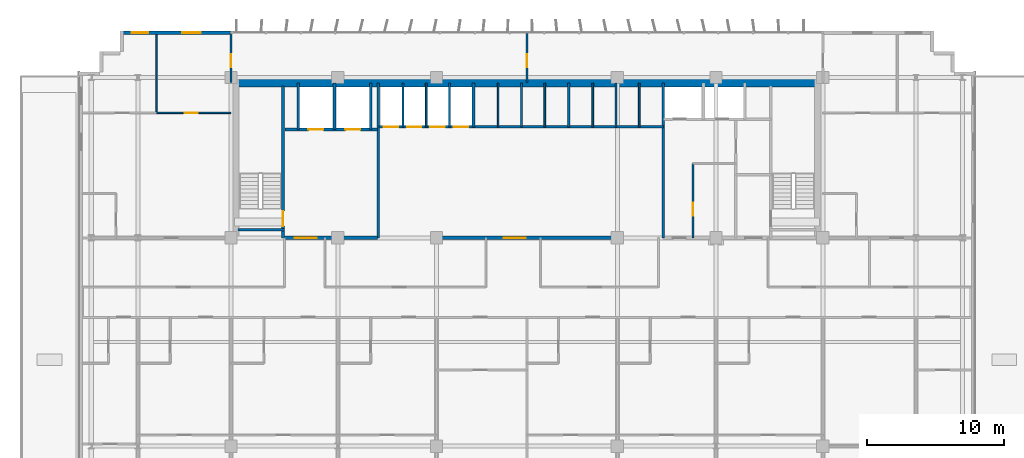
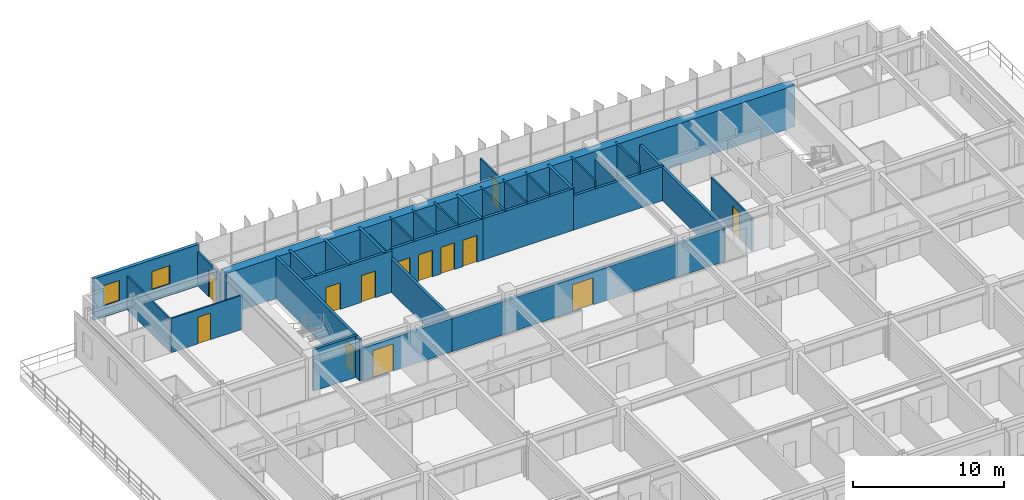
# One storey, part 20 of 26: 31 walls, 13 doors, 2 windows, 15 openings.
"""IFC4 building model written with IfcOpenShell, lengths in metres."""

from ifc_helpers import new_model, si_unit, direction, frame, frame_2d, origin, place, context, subcontext, project, spatial, rectangle, extrude, source, transform, mapped, material, layer, layer_set, type_object, element, fill, save


model = new_model("IFC4")

# Units and contexts
model_context = context("Model", 3, precision=1e-05, world=origin(), true_north=direction((0.0, 1.0)))
body_context = subcontext(model_context, "Body", "Model", "MODEL_VIEW")
ifc_project = project(units=[si_unit("LENGTHUNIT", "METRE"), si_unit("AREAUNIT", "SQUARE_METRE"), si_unit("VOLUMEUNIT", "CUBIC_METRE"), si_unit("PLANEANGLEUNIT", "RADIAN"), si_unit("MASSUNIT", "GRAM", prefix="KILO")], contexts=[model_context])

# Site, building, storey
site_placement = place(None, origin())
site = spatial("IfcSite", under=ifc_project, at=site_placement, CompositionType="ELEMENT")
building_placement = place(site_placement, origin())
building = spatial("IfcBuilding", under=site, at=building_placement, Name="Trelvane Seafront Commons", CompositionType="ELEMENT")
storey_placement = place(building_placement, frame((0.0, 0.0, 23.5)))
storey = spatial("IfcBuildingStorey", under=building, at=storey_placement, Name="L05", CompositionType="ELEMENT", Elevation=23.5)

# Wall, openings, windows
ifc_material_1 = material(Name="Precast concrete C40/50", Category="concrete")
ifc_layer_1 = layer(ifc_material_1, 0.260009765625, Name="ARCH-WALL-EXT260")
ifc_layer_set_1 = layer_set([ifc_layer_1], Name="Precast concrete C40/50")
wall_type_1 = type_object("IfcWallType", Name="ARCH-WALL-EXT260", PredefinedType="SOLIDWALL", material=ifc_layer_set_1)
wall_1_placement = place(storey_placement, frame((7.60009765625, 48.3701171875, 0.0), z_axis=(0.0, 0.0, 1.0), x_axis=(1.0, 0.0, 0.0)))
wall_1 = element("IfcWall", 1, at=wall_1_placement, inside=storey, type_object=wall_type_1, Name="EW-L05-NW-0045", PredefinedType="SOLIDWALL", context=body_context, shape_type="SweptSolid", body=[
    extrude(rectangle(XDim=8.0, YDim=0.260009765625, at=frame_2d((4.0, 0.0))), origin(), (0.0, 0.0, 1.0), 3.340087890625),
])
opening_1_placement = place(wall_1_placement, frame((0.76806640625, 0.0, 0.89990234375)))
opening_1 = element("IfcOpeningElement", 2, at=opening_1_placement, cuts=wall_1, Name="Opening W05", PredefinedType="OPENING", context=body_context, shape_type="SweptSolid", body=[
    extrude(rectangle(XDim=1.199951171875, YDim=1.64990234375, at=frame_2d((0.60009765625, 0.824951171875))), frame((0.0, 0.139892578125, 0.0), z_axis=(0.0, -1.0, 0.0), x_axis=(1.0, 0.0, 0.0)), (0.0, 0.0, 1.0), 0.280029296875),
])
opening_2_placement = place(wall_1_placement, frame((4.44091796875, 0.0, 0.89990234375)))
opening_2 = element("IfcOpeningElement", 3, at=opening_2_placement, cuts=wall_1, Name="Opening W09", PredefinedType="OPENING", context=body_context, shape_type="SweptSolid", body=[
    extrude(rectangle(XDim=1.35009765625, YDim=1.5, at=frame_2d((0.675048828125, 0.75))), frame((0.0, 0.139892578125, 0.0), z_axis=(0.0, -1.0, 0.0), x_axis=(1.0, 0.0, 0.0)), (0.0, 0.0, 1.0), 0.280029296875),
])
ifc_material_2 = material(Name="Low-E coastal double glazing", Category="glass")
window_type_1 = type_object("IfcWindowType", Name="ARCH-WIN-W09", PartitioningType="SINGLE_PANEL", PredefinedType="WINDOW", material=ifc_material_2)
shared_shape_1 = source(origin(), body_context, "Body", "SweptSolid", [
    extrude(rectangle(XDim=1.35009765625, YDim=1.5, at=frame_2d((0.675048828125, 0.75))), frame((0.0, 0.030029296875, 0.0), z_axis=(0.0, -1.0, 0.0), x_axis=(1.0, 0.0, 0.0)), (0.0, 0.0, 1.0), 0.06005859375),
])
window_1_placement = place(opening_2_placement, origin())
window_1 = element("IfcWindow", 4, at=window_1_placement, inside=storey, type_object=window_type_1, Name="WIN-L05-00075", OverallHeight=1.5, OverallWidth=1.35009765625, PartitioningType="SINGLE_PANEL", PredefinedType="WINDOW", context=body_context, shape_type="MappedRepresentation", body=[
    mapped(shared_shape_1, transform((0.0, 0.0, 0.0), x_axis=(1.0, 0.0, 0.0), y_axis=(0.0, 1.0, 0.0), z_axis=(0.0, 0.0, 1.0), scale=1.0)),
])
fill(opening_2, window_1)
window_type_2 = type_object("IfcWindowType", Name="ARCH-WIN-W05", PartitioningType="SINGLE_PANEL", PredefinedType="WINDOW", material=ifc_material_2)
shared_shape_2 = source(origin(), body_context, "Body", "SweptSolid", [
    extrude(rectangle(XDim=1.199951171875, YDim=1.64990234375, at=frame_2d((0.60009765625, 0.824951171875))), frame((0.0, 0.030029296875, 0.0), z_axis=(0.0, -1.0, 0.0), x_axis=(1.0, 0.0, 0.0)), (0.0, 0.0, 1.0), 0.06005859375),
])
window_2_placement = place(opening_1_placement, origin())
window_2 = element("IfcWindow", 5, at=window_2_placement, inside=storey, type_object=window_type_2, Name="WIN-L05-00074", OverallHeight=1.64990234375, OverallWidth=1.199951171875, PartitioningType="SINGLE_PANEL", PredefinedType="WINDOW", context=body_context, shape_type="MappedRepresentation", body=[
    mapped(shared_shape_2, transform((0.0, 0.0, 0.0), x_axis=(1.0, 0.0, 0.0), y_axis=(0.0, 1.0, 0.0), z_axis=(0.0, 0.0, 1.0), scale=1.0)),
])
fill(opening_1, window_2)

# Wall, opening, door
ifc_material_3 = material(Name="Concrete C40/50", Category="concrete")
ifc_layer_2 = layer(ifc_material_3, 0.25, Name="ARCH-WALL-FIRE250")
ifc_layer_set_2 = layer_set([ifc_layer_2], Name="Concrete C40/50")
wall_type_2 = type_object("IfcWallType", Name="ARCH-WALL-FIRE250", PredefinedType="PARTITIONING", material=ifc_layer_set_2)
wall_2_placement = place(storey_placement, frame((19.5, 33.39990234375, 0.0), z_axis=(0.0, 0.0, 1.0), x_axis=(1.0, 0.0, 0.0)))
wall_2 = element("IfcWall", 6, at=wall_2_placement, inside=storey, type_object=wall_type_2, Name="W-L05-CS-FFL-013", PredefinedType="PARTITIONING", context=body_context, shape_type="SweptSolid", body=[
    extrude(rectangle(XDim=6.800048828125, YDim=0.25, at=frame_2d((3.39990234375, 0.0))), origin(), (0.0, 0.0, 1.0), 2.68994140625),
])
opening_3_placement = place(wall_2_placement, frame((0.75, 0.0, 0.0)))
opening_3 = element("IfcOpeningElement", 7, at=opening_3_placement, cuts=wall_2, Name="Opening FD-L05-05", PredefinedType="OPENING", context=body_context, shape_type="SweptSolid", body=[
    extrude(rectangle(XDim=1.60009765625, YDim=2.199951171875, at=frame_2d((0.800048828125, 1.10009765625))), frame((0.0, 0.135009765625, 0.0), z_axis=(0.0, -1.0, 0.0), x_axis=(1.0, 0.0, 0.0)), (0.0, 0.0, 1.0), 0.27001953125),
])
ifc_material_4 = material(Name="Powder-coated aluminium frame", Category="aluminium")
door_type_1 = type_object("IfcDoorType", Name="ARCH-DR-FD60-1600", OperationType="DOUBLE_DOOR_SINGLE_SWING", PredefinedType="DOOR", material=ifc_material_4)
shared_shape_3 = source(origin(), body_context, "Body", "SweptSolid", [
    extrude(rectangle(XDim=1.60009765625, YDim=2.199951171875, at=frame_2d((0.800048828125, 1.10009765625))), frame((0.0, 0.02490234375, 0.0), z_axis=(0.0, -1.0, 0.0), x_axis=(1.0, 0.0, 0.0)), (0.0, 0.0, 1.0), 0.050048828125),
])
door_1_placement = place(opening_3_placement, origin())
door_1 = element("IfcDoor", 8, at=door_1_placement, inside=storey, type_object=door_type_1, Name="L05 Firefighting Lift Lobby Double Fire Door", OperationType="DOUBLE_DOOR_SINGLE_SWING", OverallHeight=2.199951171875, OverallWidth=1.60009765625, PredefinedType="DOOR", context=body_context, shape_type="MappedRepresentation", body=[
    mapped(shared_shape_3, transform((0.0, 0.0, 0.0), x_axis=(1.0, 0.0, 0.0), y_axis=(0.0, 1.0, 0.0), z_axis=(0.0, 0.0, 1.0), scale=1.0)),
])
fill(opening_3, door_1)

wall_3_placement = place(storey_placement, frame((26.300048828125, 33.39990234375, 0.0), z_axis=(0.0, 0.0, 1.0), x_axis=(1.0, 0.0, 0.0)))
wall_3 = element("IfcWall", 9, at=wall_3_placement, inside=storey, type_object=wall_type_2, Name="W-L05-CS-PAX-029", PredefinedType="PARTITIONING", context=body_context, shape_type="SweptSolid", body=[
    extrude(rectangle(XDim=20.849853515625, YDim=0.25, at=frame_2d((10.4248046875, 0.0))), origin(), (0.0, 0.0, 1.0), 2.68994140625),
])
opening_4_placement = place(wall_3_placement, frame((9.199951171875, 0.0, 0.0)))
opening_4 = element("IfcOpeningElement", 10, at=opening_4_placement, cuts=wall_3, Name="Opening FD-L05-10", PredefinedType="OPENING", context=body_context, shape_type="SweptSolid", body=[
    extrude(rectangle(XDim=1.60009765625, YDim=2.199951171875, at=frame_2d((0.800048828125, 1.10009765625))), frame((0.0, 0.135009765625, 0.0), z_axis=(0.0, -1.0, 0.0), x_axis=(1.0, 0.0, 0.0)), (0.0, 0.0, 1.0), 0.27001953125),
])
door_2_placement = place(opening_4_placement, origin())
door_2 = element("IfcDoor", 11, at=door_2_placement, inside=storey, type_object=door_type_1, Name="L05 Passenger Lift Lobby Double Door", OperationType="DOUBLE_DOOR_SINGLE_SWING", OverallHeight=2.199951171875, OverallWidth=1.60009765625, PredefinedType="DOOR", context=body_context, shape_type="MappedRepresentation", body=[
    mapped(shared_shape_3, transform((0.0, 0.0, 0.0), x_axis=(1.0, 0.0, 0.0), y_axis=(0.0, 1.0, 0.0), z_axis=(0.0, 0.0, 1.0), scale=1.0)),
])
fill(opening_4, door_2)

# Walls
ifc_material_5 = material(Name="Gypsum Drywall Acoustic Partition")
ifc_layer_3 = layer(ifc_material_5, 0.1201171875, Name="ARCH-WALL-PART120")
ifc_layer_set_3 = layer_set([ifc_layer_3], Name="Gypsum Drywall Acoustic Partition")
wall_type_3 = type_object("IfcWallType", Name="ARCH-WALL-PART120", PredefinedType="PARTITIONING", material=ifc_layer_set_3)
for number, where, z_axis, x_axis, name in (
    (12, (28.14990234375, 41.5, 0.0), (0.0, 0.0, 1.0), (0.0, 1.0, 0.0), "W-L05-PL-DIV1-016"),
    (13, (29.85009765625, 41.5, 0.0), (0.0, 0.0, 1.0), (0.0, 1.0, 0.0), "W-L05-PL-DIV2-017"),
    (14, (31.550048828125, 41.5, 0.0), (0.0, 0.0, 1.0), (0.0, 1.0, 0.0), "W-L05-PL-DIV3-018"),
    (15, (35.10009765625, 41.5, 0.0), (0.0, 0.0, 1.0), (0.0, 1.0, 0.0), "W-L05-PM-DIV1-020"),
    (16, (36.800048828125, 41.5, 0.0), (0.0, 0.0, 1.0), (0.0, 1.0, 0.0), "W-L05-PM-DIV2-021"),
    (17, (38.5, 41.5, 0.0), (0.0, 0.0, 1.0), (0.0, 1.0, 0.0), "W-L05-PM-DIV3-022"),
    (18, (42.0, 41.5, 0.0), (0.0, 0.0, 1.0), (0.0, 1.0, 0.0), "W-L05-PH-DIV1-025"),
):
    element("IfcWall", number, at=place(storey_placement, frame(where, z_axis=z_axis, x_axis=x_axis)), inside=storey, type_object=wall_type_3, Name=name, PredefinedType="PARTITIONING", context=body_context, shape_type="SweptSolid", body=[
        extrude(rectangle(XDim=3.199951171875, YDim=0.1201171875, at=frame_2d((1.60009765625, 0.0))), origin(), (0.0, 0.0, 1.0), 3.340087890625),
    ])
wall_4_placement = place(storey_placement, frame((43.699951171875, 41.5, 0.0), z_axis=(0.0, 0.0, 1.0), x_axis=(0.0, 1.0, 0.0)))
element("IfcWall", 19, at=wall_4_placement, inside=storey, type_object=wall_type_3, Name="W-L05-PH-DIV2-026", PredefinedType="PARTITIONING", context=body_context, shape_type="SweptSolid", body=[
    extrude(rectangle(XDim=3.199951171875, YDim=0.1201171875, at=frame_2d((1.60009765625, 0.0))), origin(), (0.0, 0.0, 1.0), 2.751953125),
])
wall_5_placement = place(storey_placement, frame((45.39990234375, 41.5, 0.0), z_axis=(0.0, 0.0, 1.0), x_axis=(0.0, 1.0, 0.0)))
element("IfcWall", 20, at=wall_5_placement, inside=storey, type_object=wall_type_3, Name="W-L05-PH-DIV3-027", PredefinedType="PARTITIONING", context=body_context, shape_type="SweptSolid", body=[
    extrude(rectangle(XDim=3.199951171875, YDim=0.1201171875, at=frame_2d((1.60009765625, 0.0))), origin(), (0.0, 0.0, 1.0), 3.340087890625),
])

# Wall, opening, door
wall_6_placement = place(storey_placement, frame((49.320068359375, 33.39990234375, 0.0), z_axis=(0.0, 0.0, 1.0), x_axis=(0.0, 1.0, 0.0)))
wall_6 = element("IfcWall", 21, at=wall_6_placement, inside=storey, type_object=wall_type_3, Name="W-L05-CYC2-V-035", PredefinedType="PARTITIONING", context=body_context, shape_type="SweptSolid", body=[
    extrude(rectangle(XDim=5.420166015625, YDim=0.1201171875, at=frame_2d((2.7099609375, 0.0))), origin(), (0.0, 0.0, 1.0), 2.68994140625),
])
opening_5_placement = place(wall_6_placement, frame((1.60009765625, 0.0, 0.0)))
opening_5 = element("IfcOpeningElement", 22, at=opening_5_placement, cuts=wall_6, Name="Opening D-L05-14", PredefinedType="OPENING", context=body_context, shape_type="SweptSolid", body=[
    extrude(rectangle(XDim=0.949951171875, YDim=2.14990234375, at=frame_2d((0.47509765625, 1.074951171875))), frame((0.0, 0.070068359375, 0.0), z_axis=(0.0, -1.0, 0.0), x_axis=(1.0, 0.0, 0.0)), (0.0, 0.0, 1.0), 0.14013671875),
])
ifc_material_6 = material(Name="Acoustic timber door leaf", Category="wood")
door_type_2 = type_object("IfcDoorType", Name="ARCH-DR-INT950", OperationType="NOTDEFINED", PredefinedType="DOOR", material=ifc_material_6)
shared_shape_4 = source(origin(), body_context, "Body", "SweptSolid", [
    extrude(rectangle(XDim=0.949951171875, YDim=2.14990234375, at=frame_2d((0.47509765625, 1.074951171875))), frame((0.0, 0.02490234375, 0.0), z_axis=(0.0, -1.0, 0.0), x_axis=(1.0, 0.0, 0.0)), (0.0, 0.0, 1.0), 0.050048828125),
])
door_3_placement = place(opening_5_placement, origin())
door_3 = element("IfcDoor", 23, at=door_3_placement, inside=storey, type_object=door_type_2, Name="L05 Accessible WC Door", OperationType="SINGLE_SWING_RIGHT", OverallHeight=2.14990234375, OverallWidth=0.949951171875, PredefinedType="DOOR", context=body_context, shape_type="MappedRepresentation", body=[
    mapped(shared_shape_4, transform((0.0, 0.0, 0.0), x_axis=(1.0, 0.0, 0.0), y_axis=(0.0, 1.0, 0.0), z_axis=(0.0, 0.0, 1.0), scale=1.0)),
])
fill(opening_5, door_3)

wall_7_placement = place(storey_placement, frame((10.175048828125, 42.52001953125, 0.0), z_axis=(0.0, 0.0, 1.0), x_axis=(1.0, 0.0, 0.0)))
wall_7 = element("IfcWall", 24, at=wall_7_placement, inside=storey, type_object=wall_type_3, Name="W-L05-NW-KB2-052", PredefinedType="PARTITIONING", context=body_context, shape_type="SweptSolid", body=[
    extrude(rectangle(XDim=5.425048828125, YDim=0.1201171875, at=frame_2d((2.71240234375, 0.0))), origin(), (0.0, 0.0, 1.0), 2.751953125),
])
opening_6_placement = place(wall_7_placement, frame((2.052001953125, 0.0, 0.0)))
opening_6 = element("IfcOpeningElement", 25, at=opening_6_placement, cuts=wall_7, Name="Opening D-L05-24", PredefinedType="OPENING", context=body_context, shape_type="SweptSolid", body=[
    extrude(rectangle(XDim=0.949951171875, YDim=2.14990234375, at=frame_2d((0.47509765625, 1.074951171875))), frame((0.0, 0.070068359375, 0.0), z_axis=(0.0, -1.0, 0.0), x_axis=(1.0, 0.0, 0.0)), (0.0, 0.0, 1.0), 0.14013671875),
])
door_4_placement = place(opening_6_placement, origin())
door_4 = element("IfcDoor", 26, at=door_4_placement, inside=storey, type_object=door_type_2, Name="L05 Door 24", OperationType="SINGLE_SWING_RIGHT", OverallHeight=2.14990234375, OverallWidth=0.949951171875, PredefinedType="DOOR", context=body_context, shape_type="MappedRepresentation", body=[
    mapped(shared_shape_4, transform((0.0, 0.0, 0.0), x_axis=(1.0, 0.0, 0.0), y_axis=(0.0, 1.0, 0.0), z_axis=(0.0, 0.0, 1.0), scale=1.0)),
])
fill(opening_6, door_4)

# Wall
wall_8_placement = place(storey_placement, frame((10.175048828125, 42.52001953125, 0.0), z_axis=(0.0, 0.0, 1.0), x_axis=(0.0, 1.0, 0.0)))
element("IfcWall", 27, at=wall_8_placement, inside=storey, type_object=wall_type_3, Name="W-L05-NW-KBDV-053", PredefinedType="PARTITIONING", context=body_context, shape_type="SweptSolid", body=[
    extrude(rectangle(XDim=5.719970703125, YDim=0.1201171875, at=frame_2d((2.85986328125, 0.0))), origin(), (0.0, 0.0, 1.0), 2.68994140625),
])

# Wall, opening, door
wall_9_placement = place(storey_placement, frame((37.199951171875, 44.75, 0.0), z_axis=(0.0, 0.0, 1.0), x_axis=(0.0, 1.0, 0.0)))
wall_9 = element("IfcWall", 28, at=wall_9_placement, inside=storey, type_object=wall_type_3, Name="W-L05-N-MID-DV-061", PredefinedType="PARTITIONING", context=body_context, shape_type="SweptSolid", body=[
    extrude(rectangle(XDim=3.610107421875, YDim=0.1201171875, at=frame_2d((1.80517578125, 0.0))), origin(), (0.0, 0.0, 1.0), 2.68994140625),
])
opening_7_placement = place(wall_9_placement, frame((1.10009765625, 0.0, 0.0)))
opening_7 = element("IfcOpeningElement", 29, at=opening_7_placement, cuts=wall_9, Name="Opening D-L05-30", PredefinedType="OPENING", context=body_context, shape_type="SweptSolid", body=[
    extrude(rectangle(XDim=0.949951171875, YDim=2.14990234375, at=frame_2d((0.47509765625, 1.074951171875))), frame((0.0, 0.070068359375, 0.0), z_axis=(0.0, -1.0, 0.0), x_axis=(1.0, 0.0, 0.0)), (0.0, 0.0, 1.0), 0.14013671875),
])
door_5_placement = place(opening_7_placement, origin())
door_5 = element("IfcDoor", 30, at=door_5_placement, inside=storey, type_object=door_type_2, Name="L05 Door 30", OperationType="SINGLE_SWING_RIGHT", OverallHeight=2.14990234375, OverallWidth=0.949951171875, PredefinedType="DOOR", context=body_context, shape_type="MappedRepresentation", body=[
    mapped(shared_shape_4, transform((0.0, 0.0, 0.0), x_axis=(1.0, 0.0, 0.0), y_axis=(0.0, 1.0, 0.0), z_axis=(0.0, 0.0, 1.0), scale=1.0)),
])
fill(opening_7, door_5)

ifc_layer_4 = layer(ifc_material_5, 0.14990234375, Name="ARCH-WALL-PART150")
ifc_layer_set_4 = layer_set([ifc_layer_4], Name="Gypsum Drywall Acoustic Partition")
wall_type_4 = type_object("IfcWallType", Name="ARCH-WALL-PART150", PredefinedType="PARTITIONING", material=ifc_layer_set_4)
wall_10_placement = place(storey_placement, frame((15.60009765625, 44.75, 0.0), z_axis=(0.0, 0.0, 1.0), x_axis=(0.0, 1.0, 0.0)))
wall_10 = element("IfcWall", 31, at=wall_10_placement, inside=storey, type_object=wall_type_4, Name="W-L05-N-LINK-W-062", PredefinedType="PARTITIONING", context=body_context, shape_type="SweptSolid", body=[
    extrude(rectangle(XDim=3.610107421875, YDim=0.14990234375, at=frame_2d((1.80517578125, 0.0))), origin(), (0.0, 0.0, 1.0), 2.751953125),
])
opening_8_placement = place(wall_10_placement, frame((1.10009765625, 0.0, 0.0)))
opening_8 = element("IfcOpeningElement", 32, at=opening_8_placement, cuts=wall_10, Name="Opening FD-L05-31", PredefinedType="OPENING", context=body_context, shape_type="SweptSolid", body=[
    extrude(rectangle(XDim=0.949951171875, YDim=2.14990234375, at=frame_2d((0.47509765625, 1.074951171875))), frame((0.0, 0.0849609375, 0.0), z_axis=(0.0, -1.0, 0.0), x_axis=(1.0, 0.0, 0.0)), (0.0, 0.0, 1.0), 0.169921875),
])
door_type_3 = type_object("IfcDoorType", Name="ARCH-DR-FD60-950", OperationType="NOTDEFINED", PredefinedType="DOOR", material=ifc_material_4)
door_6_placement = place(opening_8_placement, origin())
door_6 = element("IfcDoor", 33, at=door_6_placement, inside=storey, type_object=door_type_3, Name="L05 Door 31", OperationType="SINGLE_SWING_LEFT", OverallHeight=2.14990234375, OverallWidth=0.949951171875, PredefinedType="DOOR", context=body_context, shape_type="MappedRepresentation", body=[
    mapped(shared_shape_4, transform((0.0, 0.0, 0.0), x_axis=(1.0, 0.0, 0.0), y_axis=(0.0, 1.0, 0.0), z_axis=(0.0, 0.0, 1.0), scale=1.0)),
])
fill(opening_8, door_6)

# Wall, openings, doors
ifc_layer_5 = layer(ifc_material_3, 0.199951171875, Name="ARCH-WALL-SHAFT200")
ifc_layer_set_5 = layer_set([ifc_layer_5], Name="Concrete C40/50")
wall_type_5 = type_object("IfcWallType", Name="ARCH-WALL-SHAFT200", PredefinedType="SOLIDWALL", material=ifc_layer_set_5)
wall_11_placement = place(storey_placement, frame((19.550048828125, 41.300048828125, 0.0), z_axis=(0.0, 0.0, 1.0), x_axis=(1.0, 0.0, 0.0)))
wall_11 = element("IfcWall", 34, at=wall_11_placement, inside=storey, type_object=wall_type_5, Name="W-L05-FFL-FRONT-008", PredefinedType="SOLIDWALL", context=body_context, shape_type="SweptSolid", body=[
    extrude(rectangle(XDim=6.75, YDim=0.199951171875, at=frame_2d((3.375, 0.0))), origin(), (0.0, 0.0, 1.0), 3.340087890625),
])
opening_9_placement = place(wall_11_placement, frame((1.699951171875, 0.0, 0.0)))
opening_9 = element("IfcOpeningElement", 35, at=opening_9_placement, cuts=wall_11, Name="Opening LD-FF1-L05", PredefinedType="OPENING", context=body_context, shape_type="SweptSolid", body=[
    extrude(rectangle(XDim=1.10009765625, YDim=2.14990234375, at=frame_2d((0.550048828125, 1.074951171875))), frame((0.0, 0.10986328125, 0.0), z_axis=(0.0, -1.0, 0.0), x_axis=(1.0, 0.0, 0.0)), (0.0, 0.0, 1.0), 0.219970703125),
])
opening_10_placement = place(wall_11_placement, frame((4.39990234375, 0.0, 0.0)))
opening_10 = element("IfcOpeningElement", 36, at=opening_10_placement, cuts=wall_11, Name="Opening LD-FF2-L05", PredefinedType="OPENING", context=body_context, shape_type="SweptSolid", body=[
    extrude(rectangle(XDim=1.10009765625, YDim=2.14990234375, at=frame_2d((0.550048828125, 1.074951171875))), frame((0.0, 0.10986328125, 0.0), z_axis=(0.0, -1.0, 0.0), x_axis=(1.0, 0.0, 0.0)), (0.0, 0.0, 1.0), 0.219970703125),
])
ifc_material_7 = material(Name="Stainless steel balustrade", Category="steel")
door_type_4 = type_object("IfcDoorType", Name="ARCH-DR-LD1100", OperationType="DOUBLE_DOOR_SLIDING", PredefinedType="DOOR", material=ifc_material_7)
shared_shape_5 = source(origin(), body_context, "Body", "SweptSolid", [
    extrude(rectangle(XDim=1.10009765625, YDim=2.14990234375, at=frame_2d((0.550048828125, 1.074951171875))), frame((0.0, 0.02490234375, 0.0), z_axis=(0.0, -1.0, 0.0), x_axis=(1.0, 0.0, 0.0)), (0.0, 0.0, 1.0), 0.050048828125),
])
door_7_placement = place(opening_9_placement, origin())
door_7 = element("IfcDoor", 37, at=door_7_placement, inside=storey, type_object=door_type_4, Name="L05 Firefighting Lift FFL-1 Landing Door", OperationType="DOUBLE_DOOR_SLIDING", OverallHeight=2.14990234375, OverallWidth=1.10009765625, PredefinedType="DOOR", context=body_context, shape_type="MappedRepresentation", body=[
    mapped(shared_shape_5, transform((0.0, 0.0, 0.0), x_axis=(1.0, 0.0, 0.0), y_axis=(0.0, 1.0, 0.0), z_axis=(0.0, 0.0, 1.0), scale=1.0)),
])
fill(opening_9, door_7)
door_8_placement = place(opening_10_placement, origin())
door_8 = element("IfcDoor", 38, at=door_8_placement, inside=storey, type_object=door_type_4, Name="L05 Firefighting Lift FFL-2 Landing Door", OperationType="DOUBLE_DOOR_SLIDING", OverallHeight=2.14990234375, OverallWidth=1.10009765625, PredefinedType="DOOR", context=body_context, shape_type="MappedRepresentation", body=[
    mapped(shared_shape_5, transform((0.0, 0.0, 0.0), x_axis=(1.0, 0.0, 0.0), y_axis=(0.0, 1.0, 0.0), z_axis=(0.0, 0.0, 1.0), scale=1.0)),
])
fill(opening_10, door_8)

# Walls
for number, where, z_axis, x_axis, name in (
    (39, (20.5, 41.300048828125, 0.0), (0.0, 0.0, 1.0), (0.0, 1.0, 0.0), "W-L05-FFL-SH-W-009"),
    (40, (23.14990234375, 41.300048828125, 0.0), (0.0, 0.0, 1.0), (0.0, 1.0, 0.0), "W-L05-FFL-DIV-010"),
    (41, (25.800048828125, 41.300048828125, 0.0), (0.0, 0.0, 1.0), (0.0, 1.0, 0.0), "W-L05-FFL-SH-E-011"),
):
    element("IfcWall", number, at=place(storey_placement, frame(where, z_axis=z_axis, x_axis=x_axis)), inside=storey, type_object=wall_type_5, Name=name, PredefinedType="SOLIDWALL", context=body_context, shape_type="SweptSolid", body=[
        extrude(rectangle(XDim=3.39990234375, YDim=0.199951171875, at=frame_2d((1.699951171875, 0.0))), origin(), (0.0, 0.0, 1.0), 3.340087890625),
    ])
wall_12_placement = place(storey_placement, frame((26.35009765625, 33.39990234375, 0.0), z_axis=(0.0, 0.0, 1.0), x_axis=(0.0, 1.0, 0.0)))
element("IfcWall", 42, at=wall_12_placement, inside=storey, type_object=wall_type_5, Name="W-L05-FFL-EAST-012", PredefinedType="SOLIDWALL", context=body_context, shape_type="SweptSolid", body=[
    extrude(rectangle(XDim=11.300048828125, YDim=0.199951171875, at=frame_2d((5.64990234375, 0.0))), origin(), (0.0, 0.0, 1.0), 2.68994140625),
])

# Wall, openings, doors
wall_13_placement = place(storey_placement, frame((26.39990234375, 41.5, 0.0), z_axis=(0.0, 0.0, 1.0), x_axis=(1.0, 0.0, 0.0)))
wall_13 = element("IfcWall", 43, at=wall_13_placement, inside=storey, type_object=wall_type_5, Name="W-L05-PL-FRONT-014", PredefinedType="SOLIDWALL", context=body_context, shape_type="SweptSolid", body=[
    extrude(rectangle(XDim=6.9501953125, YDim=0.199951171875, at=frame_2d((3.47509765625, 0.0))), origin(), (0.0, 0.0, 1.0), 3.340087890625),
])
opening_11_placement = place(wall_13_placement, frame((0.35009765625, 0.0, 0.0)))
opening_11 = element("IfcOpeningElement", 44, at=opening_11_placement, cuts=wall_13, Name="Opening LD-PL1-L05", PredefinedType="OPENING", context=body_context, shape_type="SweptSolid", body=[
    extrude(rectangle(XDim=1.050048828125, YDim=2.14990234375, at=frame_2d((0.52490234375, 1.074951171875))), frame((0.0, 0.10986328125, 0.0), z_axis=(0.0, -1.0, 0.0), x_axis=(1.0, 0.0, 0.0)), (0.0, 0.0, 1.0), 0.219970703125),
])
opening_12_placement = place(wall_13_placement, frame((2.050048828125, 0.0, 0.0)))
opening_12 = element("IfcOpeningElement", 45, at=opening_12_placement, cuts=wall_13, Name="Opening LD-PL2-L05", PredefinedType="OPENING", context=body_context, shape_type="SweptSolid", body=[
    extrude(rectangle(XDim=1.050048828125, YDim=2.14990234375, at=frame_2d((0.52490234375, 1.074951171875))), frame((0.0, 0.10986328125, 0.0), z_axis=(0.0, -1.0, 0.0), x_axis=(1.0, 0.0, 0.0)), (0.0, 0.0, 1.0), 0.219970703125),
])
opening_13_placement = place(wall_13_placement, frame((3.75, 0.0, 0.0)))
opening_13 = element("IfcOpeningElement", 46, at=opening_13_placement, cuts=wall_13, Name="Opening LD-PL3-L05", PredefinedType="OPENING", context=body_context, shape_type="SweptSolid", body=[
    extrude(rectangle(XDim=1.050048828125, YDim=2.14990234375, at=frame_2d((0.52490234375, 1.074951171875))), frame((0.0, 0.10986328125, 0.0), z_axis=(0.0, -1.0, 0.0), x_axis=(1.0, 0.0, 0.0)), (0.0, 0.0, 1.0), 0.219970703125),
])
opening_14_placement = place(wall_13_placement, frame((5.449951171875, 0.0, 0.0)))
opening_14 = element("IfcOpeningElement", 47, at=opening_14_placement, cuts=wall_13, Name="Opening LD-PL4-L05", PredefinedType="OPENING", context=body_context, shape_type="SweptSolid", body=[
    extrude(rectangle(XDim=1.050048828125, YDim=2.14990234375, at=frame_2d((0.52490234375, 1.074951171875))), frame((0.0, 0.10986328125, 0.0), z_axis=(0.0, -1.0, 0.0), x_axis=(1.0, 0.0, 0.0)), (0.0, 0.0, 1.0), 0.219970703125),
])
door_type_5 = type_object("IfcDoorType", Name="ARCH-DR-LD1050", OperationType="DOUBLE_DOOR_SLIDING", PredefinedType="DOOR", material=ifc_material_7)
shared_shape_6 = source(origin(), body_context, "Body", "SweptSolid", [
    extrude(rectangle(XDim=1.050048828125, YDim=2.14990234375, at=frame_2d((0.52490234375, 1.074951171875))), frame((0.0, 0.02490234375, 0.0), z_axis=(0.0, -1.0, 0.0), x_axis=(1.0, 0.0, 0.0)), (0.0, 0.0, 1.0), 0.050048828125),
])
door_9_placement = place(opening_11_placement, origin())
door_9 = element("IfcDoor", 48, at=door_9_placement, inside=storey, type_object=door_type_5, Name="L05 Passenger Lift PL-1 Landing Door", OperationType="DOUBLE_DOOR_SLIDING", OverallHeight=2.14990234375, OverallWidth=1.050048828125, PredefinedType="DOOR", context=body_context, shape_type="MappedRepresentation", body=[
    mapped(shared_shape_6, transform((0.0, 0.0, 0.0), x_axis=(1.0, 0.0, 0.0), y_axis=(0.0, 1.0, 0.0), z_axis=(0.0, 0.0, 1.0), scale=1.0)),
])
fill(opening_11, door_9)
door_10_placement = place(opening_12_placement, origin())
door_10 = element("IfcDoor", 49, at=door_10_placement, inside=storey, type_object=door_type_5, Name="L05 Passenger Lift PL-2 Landing Door", OperationType="DOUBLE_DOOR_SLIDING", OverallHeight=2.14990234375, OverallWidth=1.050048828125, PredefinedType="DOOR", context=body_context, shape_type="MappedRepresentation", body=[
    mapped(shared_shape_6, transform((0.0, 0.0, 0.0), x_axis=(1.0, 0.0, 0.0), y_axis=(0.0, 1.0, 0.0), z_axis=(0.0, 0.0, 1.0), scale=1.0)),
])
fill(opening_12, door_10)
door_11_placement = place(opening_13_placement, origin())
door_11 = element("IfcDoor", 50, at=door_11_placement, inside=storey, type_object=door_type_5, Name="L05 Passenger Lift PL-3 Landing Door", OperationType="DOUBLE_DOOR_SLIDING", OverallHeight=2.14990234375, OverallWidth=1.050048828125, PredefinedType="DOOR", context=body_context, shape_type="MappedRepresentation", body=[
    mapped(shared_shape_6, transform((0.0, 0.0, 0.0), x_axis=(1.0, 0.0, 0.0), y_axis=(0.0, 1.0, 0.0), z_axis=(0.0, 0.0, 1.0), scale=1.0)),
])
fill(opening_13, door_11)
door_12_placement = place(opening_14_placement, origin())
door_12 = element("IfcDoor", 51, at=door_12_placement, inside=storey, type_object=door_type_5, Name="L05 Passenger Lift PL-4 Landing Door", OperationType="DOUBLE_DOOR_SLIDING", OverallHeight=2.14990234375, OverallWidth=1.050048828125, PredefinedType="DOOR", context=body_context, shape_type="MappedRepresentation", body=[
    mapped(shared_shape_6, transform((0.0, 0.0, 0.0), x_axis=(1.0, 0.0, 0.0), y_axis=(0.0, 1.0, 0.0), z_axis=(0.0, 0.0, 1.0), scale=1.0)),
])
fill(opening_14, door_12)

# Walls
wall_14_placement = place(storey_placement, frame((33.300048828125, 41.5, 0.0), z_axis=(0.0, 0.0, 1.0), x_axis=(0.0, 1.0, 0.0)))
element("IfcWall", 52, at=wall_14_placement, inside=storey, type_object=wall_type_5, Name="W-L05-PL-EAST-SH-015", PredefinedType="SOLIDWALL", context=body_context, shape_type="SweptSolid", body=[
    extrude(rectangle(XDim=3.199951171875, YDim=0.199951171875, at=frame_2d((1.60009765625, 0.0))), origin(), (0.0, 0.0, 1.0), 3.340087890625),
])
wall_15_placement = place(storey_placement, frame((33.35009765625, 41.5, 0.0), z_axis=(0.0, 0.0, 1.0), x_axis=(1.0, 0.0, 0.0)))
element("IfcWall", 53, at=wall_15_placement, inside=storey, type_object=wall_type_5, Name="W-L05-PM-FRONT-019", PredefinedType="SOLIDWALL", context=body_context, shape_type="SweptSolid", body=[
    extrude(rectangle(XDim=6.89990234375, YDim=0.199951171875, at=frame_2d((3.449951171875, 0.0))), origin(), (0.0, 0.0, 1.0), 3.340087890625),
])
wall_16_placement = place(storey_placement, frame((40.25, 41.5, 0.0), z_axis=(0.0, 0.0, 1.0), x_axis=(1.0, 0.0, 0.0)))
element("IfcWall", 54, at=wall_16_placement, inside=storey, type_object=wall_type_5, Name="W-L05-PH-FRONT-023", PredefinedType="SOLIDWALL", context=body_context, shape_type="SweptSolid", body=[
    extrude(rectangle(XDim=6.89990234375, YDim=0.199951171875, at=frame_2d((3.449951171875, 0.0))), origin(), (0.0, 0.0, 1.0), 2.751953125),
])
wall_17_placement = place(storey_placement, frame((40.25, 41.5, 0.0), z_axis=(0.0, 0.0, 1.0), x_axis=(0.0, 1.0, 0.0)))
element("IfcWall", 55, at=wall_17_placement, inside=storey, type_object=wall_type_5, Name="W-L05-PH-WEST-SH-024", PredefinedType="SOLIDWALL", context=body_context, shape_type="SweptSolid", body=[
    extrude(rectangle(XDim=3.199951171875, YDim=0.199951171875, at=frame_2d((1.60009765625, 0.0))), origin(), (0.0, 0.0, 1.0), 3.340087890625),
])
wall_18_placement = place(storey_placement, frame((47.14990234375, 33.39990234375, 0.0), z_axis=(0.0, 0.0, 1.0), x_axis=(0.0, 1.0, 0.0)))
element("IfcWall", 56, at=wall_18_placement, inside=storey, type_object=wall_type_5, Name="W-L05-PH-EAST-028", PredefinedType="SOLIDWALL", context=body_context, shape_type="SweptSolid", body=[
    extrude(rectangle(XDim=11.300048828125, YDim=0.199951171875, at=frame_2d((5.64990234375, 0.0))), origin(), (0.0, 0.0, 1.0), 2.68994140625),
])
ifc_material_8 = material(Name="Concrete C60/75", Category="concrete")
ifc_layer_6 = layer(ifc_material_8, 0.699951171875, Name="STR-WALL-CORE700")
ifc_layer_set_6 = layer_set([ifc_layer_6], Name="Concrete C60/75")
wall_type_6 = type_object("IfcWallType", Name="STR-WALL-CORE700", PredefinedType="SHEAR", material=ifc_layer_set_6)
wall_19_placement = place(storey_placement, frame((15.5, 44.75, 0.0), z_axis=(0.0, 0.0, 1.0), x_axis=(1.0, 0.0, 0.0)))
element("IfcWall", 57, at=wall_19_placement, inside=storey, type_object=wall_type_6, Name="W-L05-CN-ALL-001", PredefinedType="SHEAR", context=body_context, shape_type="SweptSolid", body=[
    extrude(rectangle(XDim=43.39990234375, YDim=0.699951171875, at=frame_2d((21.699951171875, 0.0))), origin(), (0.0, 0.0, 1.0), 3.340087890625),
])
ifc_material_9 = material(Name="Concrete C50/60", Category="concrete")
ifc_layer_7 = layer(ifc_material_9, 0.199951171875, Name="STR-WALL-STAIR200")
ifc_layer_set_7 = layer_set([ifc_layer_7], Name="Concrete C50/60")
wall_type_7 = type_object("IfcWallType", Name="STR-WALL-STAIR200", PredefinedType="SHEAR", material=ifc_layer_set_7)
wall_20_placement = place(storey_placement, frame((16.10009765625, 34.0, 0.0), z_axis=(0.0, 0.0, 1.0), x_axis=(1.0, 0.0, 0.0)))
element("IfcWall", 58, at=wall_20_placement, inside=storey, type_object=wall_type_7, Name="W-L05-ST1-S-004", PredefinedType="SHEAR", context=body_context, shape_type="SweptSolid", body=[
    extrude(rectangle(XDim=3.39990234375, YDim=0.199951171875, at=frame_2d((1.699951171875, 0.0))), origin(), (0.0, 0.0, 1.0), 3.340087890625),
])

# Wall, opening, door
wall_21_placement = place(storey_placement, frame((19.39990234375, 33.39990234375, 0.0), z_axis=(0.0, 0.0, 1.0), x_axis=(0.0, 1.0, 0.0)))
wall_21 = element("IfcWall", 59, at=wall_21_placement, inside=storey, type_object=wall_type_7, Name="W-L05-ST1-E-005", PredefinedType="SHEAR", context=body_context, shape_type="SweptSolid", body=[
    extrude(rectangle(XDim=11.10009765625, YDim=0.199951171875, at=frame_2d((5.550048828125, 0.0))), origin(), (0.0, 0.0, 1.0), 3.340087890625),
])
opening_15_placement = place(wall_21_placement, frame((0.85009765625, 0.0, 0.0)))
opening_15 = element("IfcOpeningElement", 60, at=opening_15_placement, cuts=wall_21, Name="Opening ST-D1-L05", PredefinedType="OPENING", context=body_context, shape_type="SweptSolid", body=[
    extrude(rectangle(XDim=1.10009765625, YDim=2.14990234375, at=frame_2d((0.550048828125, 1.074951171875))), frame((0.0, 0.10986328125, 0.0), z_axis=(0.0, -1.0, 0.0), x_axis=(1.0, 0.0, 0.0)), (0.0, 0.0, 1.0), 0.219970703125),
])
door_type_6 = type_object("IfcDoorType", Name="ARCH-DR-FD90-1100", OperationType="NOTDEFINED", PredefinedType="DOOR", material=ifc_material_4)
door_13_placement = place(opening_15_placement, origin())
door_13 = element("IfcDoor", 61, at=door_13_placement, inside=storey, type_object=door_type_6, Name="L05 Stair ST-1 Lobby Fire Door", OperationType="SINGLE_SWING_LEFT", OverallHeight=2.14990234375, OverallWidth=1.10009765625, PredefinedType="DOOR", context=body_context, shape_type="MappedRepresentation", body=[
    mapped(shared_shape_5, transform((0.0, 0.0, 0.0), x_axis=(1.0, 0.0, 0.0), y_axis=(0.0, 1.0, 0.0), z_axis=(0.0, 0.0, 1.0), scale=1.0)),
])
fill(opening_15, door_13)

save(model, "model.ifc")
